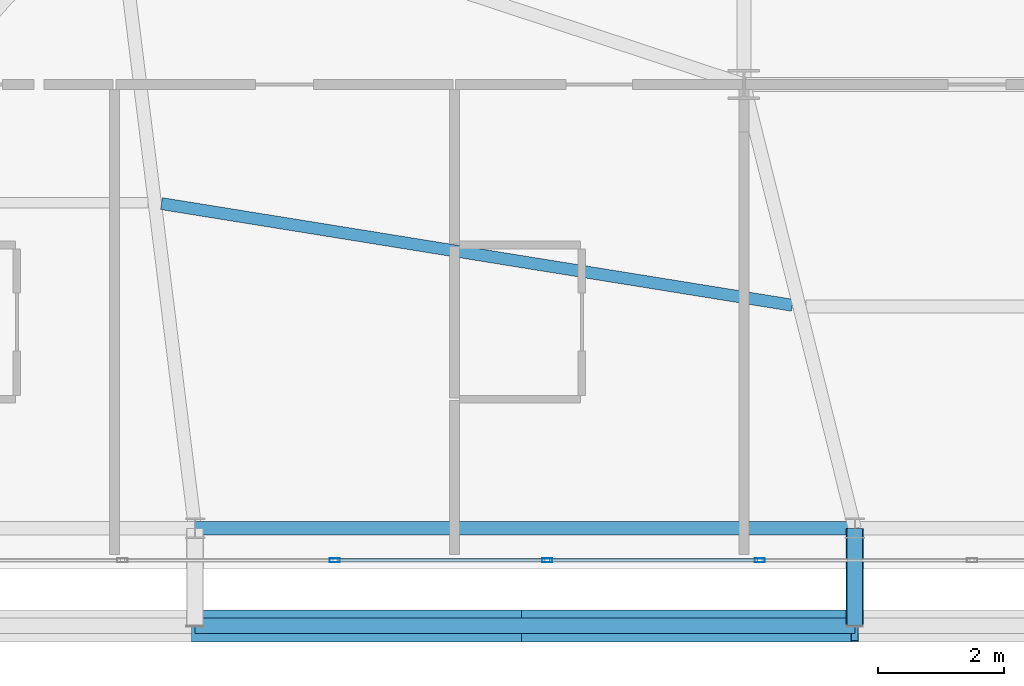
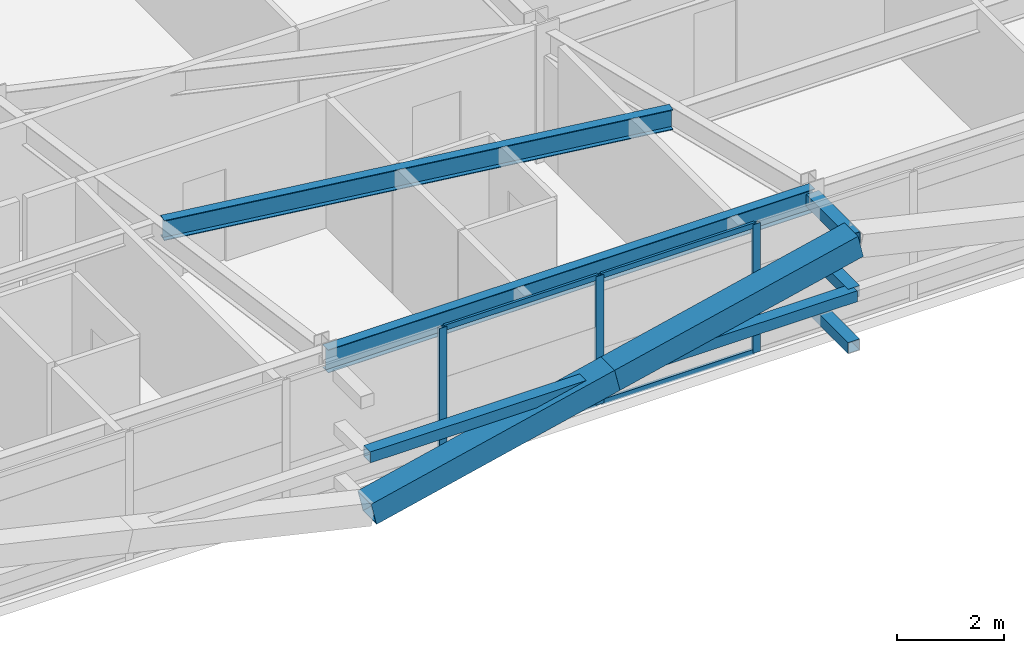
# One storey, part 11 of 58: 13 members, 2 beams, 1 element without a shape of its own.
"""IFC4 building model written with IfcOpenShell, lengths in metres."""

from ifc_helpers import new_model, si_unit, direction, frame, origin, origin_2d, place, context, subcontext, project, spatial, hollow_rectangle, i_section, extrude, source, transform, mapped, material, layer, layer_set, material_profile, profile_set, type_object, element, aggregate, save


model = new_model("IFC4")

# Units and contexts
model_context = context("Model", 3, precision=1e-05, world=origin(), true_north=direction((0.0, 1.0)))
body_context = subcontext(model_context, "Body", "Model", "MODEL_VIEW")
ifc_project = project(units=[si_unit("LENGTHUNIT", "METRE"), si_unit("AREAUNIT", "SQUARE_METRE"), si_unit("VOLUMEUNIT", "CUBIC_METRE"), si_unit("PLANEANGLEUNIT", "RADIAN"), si_unit("MASSUNIT", "GRAM", prefix="KILO")], contexts=[model_context])

# Site, building, storey
site_placement = place(None, origin())
site = spatial("IfcSite", under=ifc_project, at=site_placement, CompositionType="ELEMENT")
building_placement = place(site_placement, origin())
building = spatial("IfcBuilding", under=site, at=building_placement, Name="Taldren Reach Tower", CompositionType="ELEMENT")
storey_placement = place(building_placement, frame((0.0, 0.0, 32.550048828125)))
storey = spatial("IfcBuildingStorey", under=building, at=storey_placement, Name="L09", CompositionType="ELEMENT", Elevation=32.550048828125)

# Beams
ifc_material_1 = material(Name="Steel Gr 350 (350PLUS)", Category="steel")
ifc_material_profile_1 = material_profile(ifc_material_1, i_section(OverallWidth=0.208984375, OverallDepth=0.528076171875, WebThickness=0.009521484375, FlangeThickness=0.01318359375, at=origin_2d()), Name="530UB82.0")
ifc_profile_set_1 = profile_set([ifc_material_profile_1], Name="Steel Gr 350 (350PLUS)")
beam_type_1 = type_object("IfcBeamType", Name="SP-UB530B", PredefinedType="SPANDREL", material=ifc_profile_set_1)
shared_shape_1 = source(origin(), body_context, "Body", "SweptSolid", [
    extrude(i_section(OverallWidth=0.208984375, OverallDepth=0.528076171875, WebThickness=0.009521484375, FlangeThickness=0.01318359375, at=origin_2d()), origin(), (0.0, 0.0, 1.0), 10.47998046875),
])
beam_1_placement = place(storey_placement, frame((19.280029296875, 2.14990234375, 2.666015625), z_axis=(1.0, 0.0, 0.0), x_axis=(0.0, 1.0, 0.0)))
element("IfcBeam", 1, at=beam_1_placement, inside=storey, type_object=beam_type_1, Name="Perimeter spandrel B1 S2-S3 L09", PredefinedType="SPANDREL", context=body_context, shape_type="MappedRepresentation", body=[
    mapped(shared_shape_1, transform((0.0, 0.0, 0.0), scale=1.0)),
])
ifc_material_profile_2 = material_profile(ifc_material_1, i_section(OverallWidth=0.19091796875, OverallDepth=0.4599609375, WebThickness=0.010009765625, FlangeThickness=0.01611328125, at=origin_2d()), Name="460UB82.1")
ifc_profile_set_2 = profile_set([ifc_material_profile_2], Name="Steel Gr 350 (350PLUS)")
beam_type_2 = type_object("IfcBeamType", Name="BM-UB460A", PredefinedType="BEAM", material=ifc_profile_set_2)
shared_shape_2 = source(origin(), body_context, "Body", "SweptSolid", [
    extrude(i_section(OverallWidth=0.19091796875, OverallDepth=0.4599609375, WebThickness=0.010009765625, FlangeThickness=0.01611328125, at=origin_2d()), origin(), (0.0, 0.0, 1.0), 10.1494140625),
])
beam_2_placement = place(storey_placement, frame((18.74755859375, 7.3076171875, 2.699951171875), z_axis=(0.987266967452, -0.159072106224, 0.0), x_axis=(0.159072106224, 0.987266967452, 0.0)))
element("IfcBeam", 2, at=beam_2_placement, inside=storey, type_object=beam_type_2, Name="Secondary floor beam B1 J2 L09", PredefinedType="BEAM", context=body_context, shape_type="MappedRepresentation", body=[
    mapped(shared_shape_2, transform((0.0, 0.0, 0.0), scale=1.0)),
])

# Members
ifc_material_2 = material(Name="Steel Gr 450 (C450L0)", Category="steel")
ifc_material_profile_3 = material_profile(ifc_material_2, hollow_rectangle(XDim=0.27490234375, YDim=0.27490234375, WallThickness=0.00927734375, at=origin_2d()), Name="275x275x9.3SHS")
ifc_profile_set_3 = profile_set([ifc_material_profile_3], Name="Steel Gr 450 (C450L0)")
member_type_1 = type_object("IfcMemberType", Name="MB-TIE273", PredefinedType="STRUT", material=ifc_profile_set_3)
shared_shape_3 = source(origin(), body_context, "Body", "SweptSolid", [
    extrude(hollow_rectangle(XDim=0.27490234375, YDim=0.27490234375, WallThickness=0.00927734375, at=origin_2d()), origin(), (0.0, 0.0, 1.0), 1.5498046875),
])
member_1_placement = place(storey_placement, frame((29.760009765625, 2.14990234375, 2.64990234375), z_axis=(0.0, -1.0, 0.0), x_axis=(1.0, 0.0, 0.0)))
element("IfcMember", 3, at=member_1_placement, inside=storey, type_object=member_type_1, Name="Exoskeleton diaphragm tie strut B1-S3 L09", PredefinedType="STRUT", context=body_context, shape_type="MappedRepresentation", body=[
    mapped(shared_shape_3, transform((0.0, 0.0, 0.0), scale=1.0)),
])
ifc_material_profile_4 = material_profile(ifc_material_2, hollow_rectangle(XDim=0.510009765625, YDim=0.510009765625, WallThickness=0.02001953125, at=origin_2d()), Name="510x510x20.0SHS")
ifc_profile_set_4 = profile_set([ifc_material_profile_4], Name="Steel Gr 450 (C450L0)")
member_type_2 = type_object("IfcMemberType", Name="MB-EXO508", PredefinedType="BRACE", material=ifc_profile_set_4)
shared_shape_4 = source(origin(), body_context, "Body", "SweptSolid", [
    extrude(hollow_rectangle(XDim=0.510009765625, YDim=0.510009765625, WallThickness=0.02001953125, at=origin_2d()), origin(), (0.0, 0.0, 1.0), 5.37890625),
])
for number, where, z_axis, x_axis, name in (
    (4, (19.280029296875, 0.60009765625, 0.219970703125), (0.97415197996, 0.0, 0.225893603143), (0.0, 1.0, 0.0), "Exoskeleton Diagrid Brace B1-S2 L09"),
    (5, (24.52001953125, 0.60009765625, 1.43505859375), (0.974161966843, 0.0, 0.225850531007), (0.0, 1.0, 0.0), "Exoskeleton Diagrid Brace B1-S2 L09"),
):
    element("IfcMember", number, at=place(storey_placement, frame(where, z_axis=z_axis, x_axis=x_axis)), inside=storey, type_object=member_type_2, Name=name, PredefinedType="BRACE", context=body_context, shape_type="MappedRepresentation", body=[
        mapped(shared_shape_4, transform((0.0, 0.0, 0.0), scale=1.0)),
    ])
ifc_material_3 = material(Name="Steel Gr 350 (C350L0)", Category="steel")
ifc_material_profile_5 = material_profile(ifc_material_3, hollow_rectangle(XDim=0.25, YDim=0.25, WallThickness=0.010009765625, at=origin_2d()), Name="250x250x10.0SHS")
ifc_profile_set_5 = profile_set([ifc_material_profile_5], Name="Steel Gr 350 (C350L0)")
member_type_3 = type_object("IfcMemberType", Name="MB-POST250", PredefinedType="POST", material=ifc_profile_set_5)
shared_shape_5 = source(origin(), body_context, "Body", "SweptSolid", [
    extrude(hollow_rectangle(XDim=0.25, YDim=0.25, WallThickness=0.010009765625, at=origin_2d()), origin(), (0.0, 0.0, 1.0), 10.47998046875),
])
member_2_placement = place(storey_placement, frame((19.280029296875, 0.60009765625, 1.43505859375), z_axis=(1.0, 0.0, 0.0), x_axis=(0.0, 1.0, 0.0)))
element("IfcMember", 6, at=member_2_placement, inside=storey, type_object=member_type_3, Name="Exoskeleton mid-height ring chord B1-S2 L09", PredefinedType="POST", context=body_context, shape_type="MappedRepresentation", body=[
    mapped(shared_shape_5, transform((0.0, 0.0, 0.0), scale=1.0)),
])
shared_shape_6 = source(origin(), body_context, "Body", "SweptSolid", [
    extrude(hollow_rectangle(XDim=0.25, YDim=0.25, WallThickness=0.010009765625, at=origin_2d()), origin(), (0.0, 0.0, 1.0), 1.5498046875),
])
for number, where, z_axis, x_axis, name in (
    (7, (29.760009765625, 2.14990234375, 0.219970703125), (0.0, -1.0, 0.0), (1.0, 0.0, 0.0), "Exoskeleton base diaphragm tie strut B1-S3 L09"),
    (8, (29.760009765625, 2.14990234375, 1.43505859375), (0.0, -1.0, 0.0), (1.0, 0.0, 0.0), "Exoskeleton mid-tier diaphragm tie B1-S3 L09"),
):
    element("IfcMember", number, at=place(storey_placement, frame(where, z_axis=z_axis, x_axis=x_axis)), inside=storey, type_object=member_type_3, Name=name, PredefinedType="POST", context=body_context, shape_type="MappedRepresentation", body=[
        mapped(shared_shape_6, transform((0.0, 0.0, 0.0), scale=1.0)),
    ])

# Curtain wall, members
ifc_material_4 = material(Name="Aluminium and Low-E Glass Unitised System", Category="aluminium")
ifc_layer = layer(ifc_material_4, 0.159912109375)
ifc_layer_set = layer_set([ifc_layer], Name="Aluminium and Low-E Glass Unitised System")
curtain_wall_type = type_object("IfcCurtainWallType", Name="CW-SYS-2", PredefinedType="NOTDEFINED", material=ifc_layer_set)
curtain_wall_placement = place(storey_placement, origin())
curtain_wall = element("IfcCurtainWall", 9, at=curtain_wall_placement, inside=storey, type_object=curtain_wall_type, Name="Unitised curtain wall CW-L09-S", PredefinedType="NOTDEFINED")
ifc_material_5 = material(Name="Anodised Aluminium 6063-T6", Category="aluminium")
ifc_material_profile_6 = material_profile(ifc_material_5, hollow_rectangle(XDim=0.06494140625, YDim=0.1650390625, WallThickness=0.00390625, at=origin_2d()), Name="ALU-165x65x4RHS")
ifc_profile_set_6 = profile_set([ifc_material_profile_6], Name="Anodised Aluminium 6063-T6")
member_type_4 = type_object("IfcMemberType", Name="CW-MUL-165", PredefinedType="MULLION", material=ifc_profile_set_6)
shared_shape_7 = source(origin(), body_context, "Body", "SweptSolid", [
    extrude(hollow_rectangle(XDim=0.06494140625, YDim=0.1650390625, WallThickness=0.00390625, at=origin_2d()), origin(), (0.0, 0.0, 1.0), 2.929931640625),
])
member_3_placement = place(storey_placement, frame((21.5, 1.639892578125, 0.0), z_axis=(0.0, 0.0, 1.0), x_axis=(0.0, 1.0, 0.0)))
member_3 = element("IfcMember", 10, at=member_3_placement, type_object=member_type_4, Name="CW-2 mullion 5", PredefinedType="MULLION", context=body_context, shape_type="MappedRepresentation", body=[
    mapped(shared_shape_7, transform((0.0, 0.0, 0.0), scale=1.0)),
])
member_4_placement = place(storey_placement, frame((24.875, 1.639892578125, 0.0), z_axis=(0.0, 0.0, 1.0), x_axis=(0.0, 1.0, 0.0)))
member_4 = element("IfcMember", 11, at=member_4_placement, type_object=member_type_4, Name="CW-2 mullion 6", PredefinedType="MULLION", context=body_context, shape_type="MappedRepresentation", body=[
    mapped(shared_shape_7, transform((0.0, 0.0, 0.0), scale=1.0)),
])
member_5_placement = place(storey_placement, frame((28.25, 1.639892578125, 0.0), z_axis=(0.0, 0.0, 1.0), x_axis=(0.0, 1.0, 0.0)))
member_5 = element("IfcMember", 12, at=member_5_placement, type_object=member_type_4, Name="CW-2 mullion 7", PredefinedType="MULLION", context=body_context, shape_type="MappedRepresentation", body=[
    mapped(shared_shape_7, transform((0.0, 0.0, 0.0), scale=1.0)),
])
ifc_material_profile_7 = material_profile(ifc_material_5, hollow_rectangle(XDim=0.054931640625, YDim=0.1201171875, WallThickness=0.0029296875, at=origin_2d()), Name="ALU-120x55x3RHS")
ifc_profile_set_7 = profile_set([ifc_material_profile_7], Name="Anodised Aluminium 6063-T6")
member_type_5 = type_object("IfcMemberType", Name="CW-TRN-135", PredefinedType="USERDEFINED", material=ifc_profile_set_7)
shared_shape_8 = source(origin(), body_context, "Body", "SweptSolid", [
    extrude(hollow_rectangle(XDim=0.054931640625, YDim=0.1201171875, WallThickness=0.0029296875, at=origin_2d()), origin(), (0.0, 0.0, 1.0), 3.31005859375),
])
member_6_placement = place(storey_placement, frame((21.532470703125, 1.639892578125, 0.02734375), z_axis=(1.0, 0.0, 0.0), x_axis=(0.0, 1.0, 0.0)))
member_6 = element("IfcMember", 13, at=member_6_placement, type_object=member_type_5, Name="CW-2 transom 5.1", ObjectType="TRANSOM", PredefinedType="USERDEFINED", context=body_context, shape_type="MappedRepresentation", body=[
    mapped(shared_shape_8, transform((0.0, 0.0, 0.0), scale=1.0)),
])
member_7_placement = place(storey_placement, frame((21.532470703125, 1.639892578125, 2.90234375), z_axis=(1.0, 0.0, 0.0), x_axis=(0.0, 1.0, 0.0)))
member_7 = element("IfcMember", 14, at=member_7_placement, type_object=member_type_5, Name="CW-2 transom 5.2", ObjectType="TRANSOM", PredefinedType="USERDEFINED", context=body_context, shape_type="MappedRepresentation", body=[
    mapped(shared_shape_8, transform((0.0, 0.0, 0.0), scale=1.0)),
])
member_8_placement = place(storey_placement, frame((24.907470703125, 1.639892578125, 0.02734375), z_axis=(1.0, 0.0, 0.0), x_axis=(0.0, 1.0, 0.0)))
member_8 = element("IfcMember", 15, at=member_8_placement, type_object=member_type_5, Name="CW-2 transom 6.1", ObjectType="TRANSOM", PredefinedType="USERDEFINED", context=body_context, shape_type="MappedRepresentation", body=[
    mapped(shared_shape_8, transform((0.0, 0.0, 0.0), scale=1.0)),
])
member_9_placement = place(storey_placement, frame((24.907470703125, 1.639892578125, 2.90234375), z_axis=(1.0, 0.0, 0.0), x_axis=(0.0, 1.0, 0.0)))
member_9 = element("IfcMember", 16, at=member_9_placement, type_object=member_type_5, Name="CW-2 transom 6.2", ObjectType="TRANSOM", PredefinedType="USERDEFINED", context=body_context, shape_type="MappedRepresentation", body=[
    mapped(shared_shape_8, transform((0.0, 0.0, 0.0), scale=1.0)),
])
aggregate(curtain_wall, [member_3, member_4, member_5, member_6, member_7, member_8, member_9])

save(model, "model.ifc")
